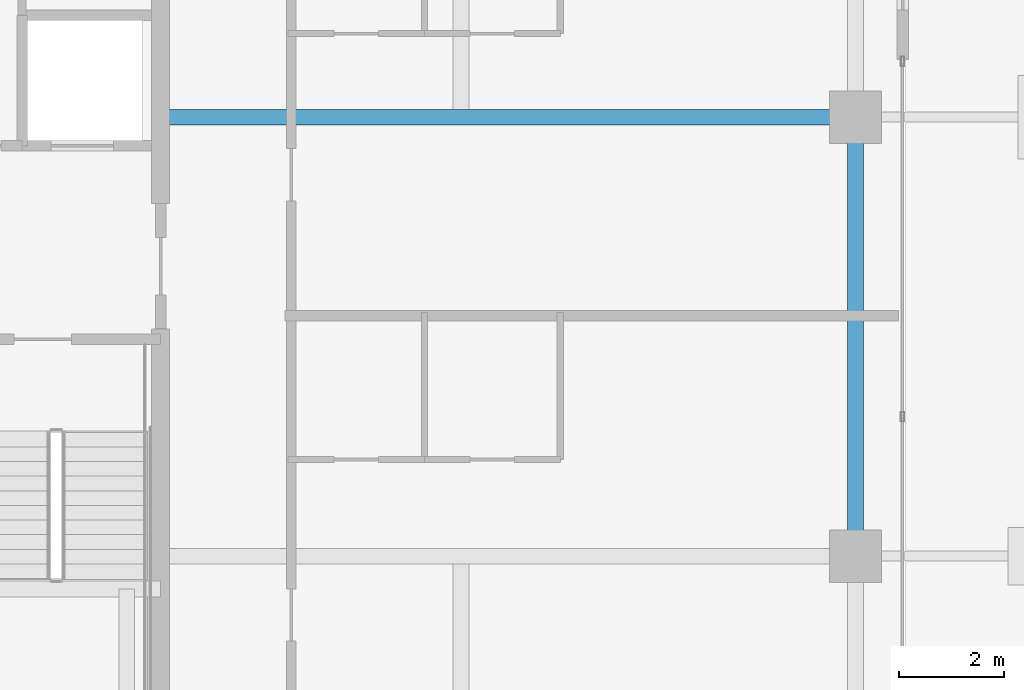
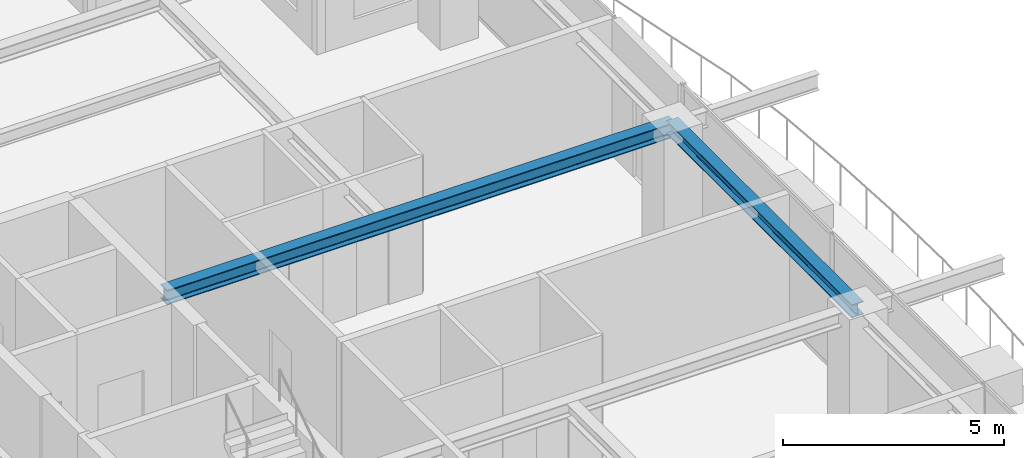
# One storey, part 17 of 42: 2 beams.
"""IFC4 building model written with IfcOpenShell, lengths in metres."""

from ifc_helpers import new_model, si_unit, direction, frame, origin, origin_2d, place, context, subcontext, project, spatial, i_section, extrude, source, transform, mapped, material, material_profile, profile_set, type_object, element, save


model = new_model("IFC4")

# Units and contexts
model_context = context("Model", 3, precision=1e-05, world=origin(), true_north=direction((0.0, 1.0)))
body_context = subcontext(model_context, "Body", "Model", "MODEL_VIEW")
ifc_project = project(units=[si_unit("LENGTHUNIT", "METRE"), si_unit("AREAUNIT", "SQUARE_METRE"), si_unit("VOLUMEUNIT", "CUBIC_METRE"), si_unit("PLANEANGLEUNIT", "RADIAN"), si_unit("MASSUNIT", "GRAM", prefix="KILO")], contexts=[model_context])

# Site, building, storey
site_placement = place(None, origin())
site = spatial("IfcSite", under=ifc_project, at=site_placement, CompositionType="ELEMENT")
building_placement = place(site_placement, origin())
building = spatial("IfcBuilding", under=site, at=building_placement, Name="Serunith Strait Residences", CompositionType="ELEMENT")
storey_placement = place(building_placement, frame((0.0, 0.0, 309.64990234375)))
storey = spatial("IfcBuildingStorey", under=building, at=storey_placement, Name="L77", CompositionType="ELEMENT", Elevation=309.64990234375)

# Beams
ifc_material = material(Name="Steel S355J2", Category="steel")
ifc_material_profile_1 = material_profile(ifc_material, i_section(OverallWidth=0.300048828125, OverallDepth=0.39990234375, WebThickness=0.013427734375, FlangeThickness=0.02392578125, FilletRadius=0.027099609375, at=origin_2d()), Name="HEB 400")
ifc_profile_set_1 = profile_set([ifc_material_profile_1], Name="Steel S355J2")
beam_type_1 = type_object("IfcBeamType", Name="BM-HEB400", PredefinedType="BEAM", material=ifc_profile_set_1)
shared_shape_1 = source(origin(), body_context, "Body", "SweptSolid", [
    extrude(i_section(OverallWidth=0.300048828125, OverallDepth=0.39990234375, WebThickness=0.013427734375, FlangeThickness=0.02392578125, FilletRadius=0.027099609375, at=origin_2d()), origin(), (0.0, 0.0, 1.0), 13.300048828125),
])
beam_1_placement = place(storey_placement, frame((41.39990234375, 29.39990234375, 3.587158203125), z_axis=(1.0, 0.0, 0.0), x_axis=(0.0, 1.0, 0.0)))
element("IfcBeam", 1, at=beam_1_placement, inside=storey, type_object=beam_type_1, Name="L77 Primary Floor Girder TC-E3", PredefinedType="BEAM", context=body_context, shape_type="MappedRepresentation", body=[
    mapped(shared_shape_1, transform((0.0, 0.0, 0.0), scale=1.0)),
])
ifc_material_profile_2 = material_profile(ifc_material, i_section(OverallWidth=0.300048828125, OverallDepth=0.360107421875, WebThickness=0.012451171875, FlangeThickness=0.0224609375, FilletRadius=0.027099609375, at=origin_2d()), Name="HEB 360")
ifc_profile_set_2 = profile_set([ifc_material_profile_2], Name="Steel S355J2")
beam_type_2 = type_object("IfcBeamType", Name="BM-HEB360", PredefinedType="BEAM", material=ifc_profile_set_2)
shared_shape_2 = source(origin(), body_context, "Body", "SweptSolid", [
    extrude(i_section(OverallWidth=0.300048828125, OverallDepth=0.360107421875, WebThickness=0.012451171875, FlangeThickness=0.0224609375, FilletRadius=0.027099609375, at=origin_2d()), origin(), (0.0, 0.0, 1.0), 8.39990234375),
])
beam_2_placement = place(storey_placement, frame((54.699951171875, 21.0, 3.607177734375), z_axis=(0.0, 1.0, 0.0), x_axis=(-1.0, 0.0, 0.0)))
element("IfcBeam", 2, at=beam_2_placement, inside=storey, type_object=beam_type_2, Name="L77 Perimeter Ring Beam 06", PredefinedType="BEAM", context=body_context, shape_type="MappedRepresentation", body=[
    mapped(shared_shape_2, transform((0.0, 0.0, 0.0), scale=1.0)),
])

save(model, "model.ifc")
